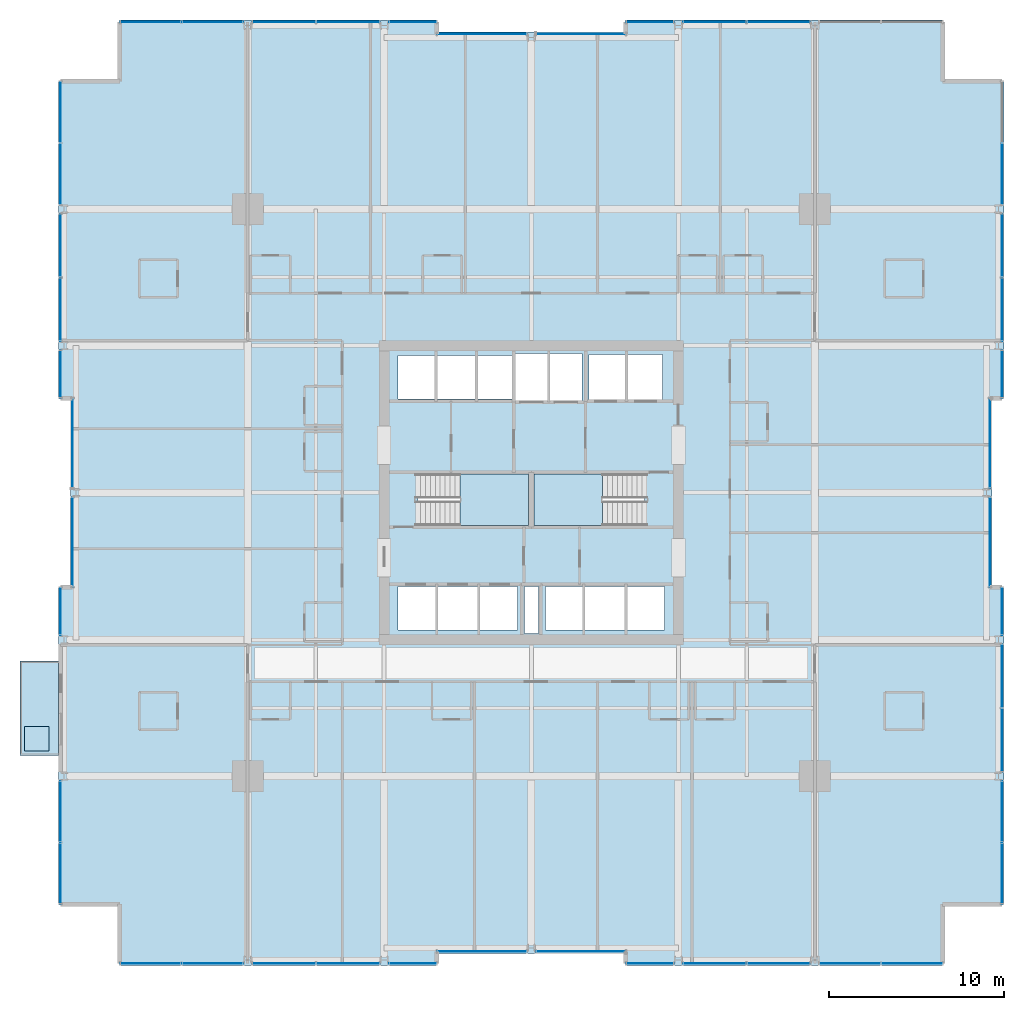
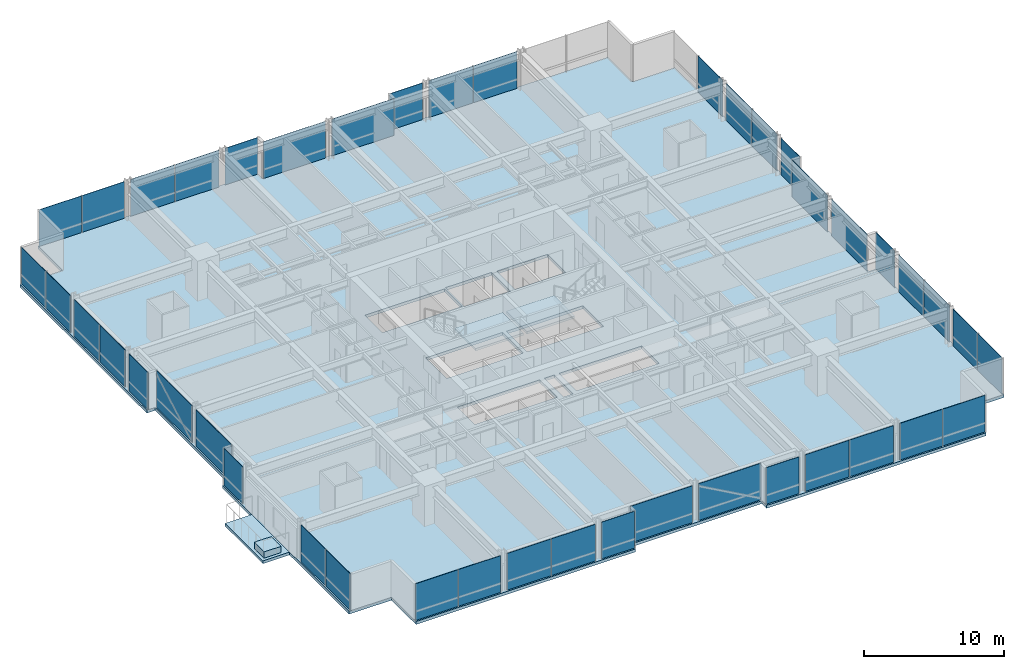
# One storey, part 29 of 38: 43 plates, 5 slabs, 32 elements without a shape of their own.
"""IFC4 building model written with IfcOpenShell, lengths in metres."""

from ifc_helpers import new_model, si_unit, direction, frame, origin, origin_2d, place, context, subcontext, project, spatial, polyline, rectangle, outline, extrude, material, layer, layer_set, type_object, element, aggregate, save


model = new_model("IFC4")

# Units and contexts
model_context = context("Model", 3, precision=1e-05, world=origin(), true_north=direction((0.0, 1.0)))
body_context = subcontext(model_context, "Body", "Model", "MODEL_VIEW")
ifc_project = project(units=[si_unit("LENGTHUNIT", "METRE"), si_unit("AREAUNIT", "SQUARE_METRE"), si_unit("VOLUMEUNIT", "CUBIC_METRE"), si_unit("PLANEANGLEUNIT", "RADIAN"), si_unit("MASSUNIT", "GRAM", prefix="KILO")], contexts=[model_context])

# Site, building, storey
site_placement = place(None, origin())
site = spatial("IfcSite", under=ifc_project, at=site_placement, CompositionType="ELEMENT")
building_placement = place(site_placement, origin())
building = spatial("IfcBuilding", under=site, at=building_placement, Name="Drelvath Grand Hotel", CompositionType="ELEMENT")
storey_placement = place(building_placement, frame((0.0, 0.0, 57.699951171875)))
storey = spatial("IfcBuildingStorey", under=building, at=storey_placement, Name="L13", CompositionType="ELEMENT", Elevation=57.699951171875)

# Slabs
ifc_material_1 = material(Name="Concrete f'c 40 MPa", Category="concrete")
ifc_layer_1 = layer(ifc_material_1, 0.239990234375)
ifc_layer_set_1 = layer_set([ifc_layer_1], Name="Concrete f'c 40 MPa")
slab_type_1 = type_object("IfcSlabType", Name="Cantilevered Tree Balcony Slab 240", PredefinedType="FLOOR", material=ifc_layer_set_1)
slab_1_placement = place(storey_placement, frame((0.0, 0.0, -0.239990234375)))
element("IfcSlab", 1, at=slab_1_placement, inside=storey, type_object=slab_type_1, Name="L13 Cantilevered Tree Balcony Slab 1", PredefinedType="FLOOR", context=body_context, shape_type="SweptSolid", body=[
    extrude(outline(polyline([(-29.199951171875, 12.0), (-27.0, 12.0), (-27.0, 17.39990234375), (-29.199951171875, 17.39990234375), (-29.199951171875, 12.0)])), origin(), (0.0, 0.0, 1.0), 0.239990234375),
])
ifc_layer_2 = layer(ifc_material_1, 0.260009765625)
ifc_layer_set_2 = layer_set([ifc_layer_2], Name="Concrete f'c 40 MPa")
slab_type_2 = type_object("IfcSlabType", Name="Composite RC Floor Slab 260", PredefinedType="FLOOR", material=ifc_layer_set_2)
slab_2_placement = place(storey_placement, frame((0.0, 0.0, -0.260009765625)))
element("IfcSlab", 2, at=slab_2_placement, inside=storey, type_object=slab_type_2, Name="L13 Structural Floor Slab", PredefinedType="FLOOR", context=body_context, shape_type="SweptSolid", body=[
    extrude(outline(polyline([(-23.5, 0.0), (-5.39990234375, 0.0), (-5.39990234375, 0.679931640625), (5.39990234375, 0.679931640625), (5.39990234375, 0.0), (23.5, 0.0), (23.5, 3.5), (27.0, 3.5), (27.0, 21.60009765625), (26.320068359375, 21.60009765625), (26.320068359375, 32.39990234375), (27.0, 32.39990234375), (27.0, 50.5), (23.5, 50.5), (23.5, 54.0), (5.39990234375, 54.0), (5.39990234375, 53.320068359375), (-5.39990234375, 53.320068359375), (-5.39990234375, 54.0), (-23.5, 54.0), (-23.5, 50.5), (-27.0, 50.5), (-27.0, 32.39990234375), (-26.320068359375, 32.39990234375), (-26.320068359375, 21.60009765625), (-27.0, 21.60009765625), (-27.0, 3.5), (-23.5, 3.5), (-23.5, 0.0)]), holes=[polyline([(-6.47998046875, 25.1201171875), (-6.47998046875, 28.080078125), (-0.14990234375, 28.080078125), (-0.14990234375, 25.1201171875), (-6.47998046875, 25.1201171875)]), polyline([(0.14990234375, 25.1201171875), (0.14990234375, 28.080078125), (6.47998046875, 28.080078125), (6.47998046875, 25.1201171875), (0.14990234375, 25.1201171875)]), polyline([(-7.60009765625, 19.14990234375), (-7.60009765625, 21.64990234375), (-0.800048828125, 21.64990234375), (-0.800048828125, 19.14990234375), (-7.60009765625, 19.14990234375)]), polyline([(-0.39990234375, 18.9599609375), (-0.39990234375, 21.639892578125), (0.39990234375, 21.639892578125), (0.39990234375, 18.9599609375), (-0.39990234375, 18.9599609375)]), polyline([(0.800048828125, 19.14990234375), (0.800048828125, 21.64990234375), (7.60009765625, 21.64990234375), (7.60009765625, 19.14990234375), (0.800048828125, 19.14990234375)]), polyline([(-7.60009765625, 32.35009765625), (-7.60009765625, 34.85009765625), (-1.02001953125, 34.85009765625), (-1.02001953125, 32.35009765625), (-7.60009765625, 32.35009765625)]), polyline([(-0.89990234375, 32.25), (-0.89990234375, 34.949951171875), (2.89990234375, 34.949951171875), (2.89990234375, 32.25), (-0.89990234375, 32.25)]), polyline([(3.300048828125, 32.300048828125), (3.300048828125, 34.89990234375), (7.5, 34.89990234375), (7.5, 32.300048828125), (3.300048828125, 32.300048828125)])]), origin(), (0.0, 0.0, 1.0), 0.260009765625),
])

# Stair, slab
ifc_material_2 = material(Name="Concrete C40/50", Category="concrete")
stair_type = type_object("IfcStairType", Name="Dogleg Exit Stair W1400-R175.0", PredefinedType="HALF_TURN_STAIR", material=ifc_material_2)
stair_1_placement = place(storey_placement, origin())
stair_1 = element("IfcStair", 3, at=stair_1_placement, inside=storey, type_object=stair_type, Name="L13 Core Exit Stair ST-1", PredefinedType="HALF_TURN_STAIR")
ifc_layer_3 = layer(ifc_material_2, 0.199951171875)
ifc_layer_set_3 = layer_set([ifc_layer_3], Name="Concrete C40/50")
slab_type_3 = type_object("IfcSlabType", Name="Concrete Stair Landing Slab 200", PredefinedType="LANDING", material=ifc_layer_set_3)
slab_3_placement = place(storey_placement, frame((0.0, 0.0, 1.550048828125)))
slab_3 = element("IfcSlab", 4, at=slab_3_placement, type_object=slab_type_3, Name="ST-1 landing 1", PredefinedType="LANDING", context=body_context, shape_type="SweptSolid", body=[
    extrude(outline(polyline([(-4.080078125, 25.1201171875), (-0.14990234375, 25.1201171875), (-0.14990234375, 28.080078125), (-4.080078125, 28.080078125), (-4.080078125, 25.1201171875)])), origin(), (0.0, 0.0, 1.0), 0.199951171875),
])
aggregate(stair_1, [slab_3])

stair_2_placement = place(storey_placement, origin())
stair_2 = element("IfcStair", 5, at=stair_2_placement, inside=storey, type_object=stair_type, Name="L13 Core Exit Stair ST-2", PredefinedType="HALF_TURN_STAIR")
slab_4_placement = place(storey_placement, frame((0.0, 0.0, 1.550048828125)))
slab_4 = element("IfcSlab", 6, at=slab_4_placement, type_object=slab_type_3, Name="ST-2 landing 1", PredefinedType="LANDING", context=body_context, shape_type="SweptSolid", body=[
    extrude(outline(polyline([(4.080078125, 28.080078125), (0.14990234375, 28.080078125), (0.14990234375, 25.1201171875), (4.080078125, 25.1201171875), (4.080078125, 28.080078125)])), origin(), (0.0, 0.0, 1.0), 0.199951171875),
])
aggregate(stair_2, [slab_4])

# Curtain wall, plates
ifc_material_3 = material(Name="Warm Bronze Anodised Aluminium Frame", Category="aluminium")
ifc_layer_4 = layer(ifc_material_3, 0.199951171875)
ifc_layer_set_4 = layer_set([ifc_layer_4], Name="Warm Bronze Anodised Aluminium Frame")
curtain_wall_type = type_object("IfcCurtainWallType", Name="Stick Curtain Wall CW-02 Warm Bronze Low-Rise", PredefinedType="NOTDEFINED", material=ifc_layer_set_4)
curtain_wall_1_placement = place(storey_placement, origin())
curtain_wall_1 = element("IfcCurtainWall", 7, at=curtain_wall_1_placement, inside=storey, type_object=curtain_wall_type, Name="L13 CW-02 Curtain Wall CW02-L13-WS1", PredefinedType="NOTDEFINED")
ifc_material_4 = material(Name="Low-E Triple Silver Vision Glass Bronze Tint", Category="glass")
ifc_layer_5 = layer(ifc_material_4, 0.035888671875)
ifc_layer_set_5 = layer_set([ifc_layer_5], Name="Low-E Triple Silver Vision Glass Bronze Tint")
plate_type = type_object("IfcPlateType", Name="Curtain Wall Vision Panel CW-02 36mm", PredefinedType="CURTAIN_PANEL", material=ifc_layer_set_5)
plate_1_placement = place(storey_placement, frame((-26.8798828125, 5.264892578125, 0.02001953125), z_axis=(0.0, 0.0, 1.0), x_axis=(0.0, 1.0, 0.0)))
plate_1 = element("IfcPlate", 8, at=plate_1_placement, type_object=plate_type, Name="CW02-L13-WS1 Glazed Panel 1", PredefinedType="CURTAIN_PANEL", context=body_context, shape_type="SweptSolid", body=[
    extrude(rectangle(XDim=3.489501953125, YDim=0.035888671875, at=origin_2d()), origin(), (0.0, 0.0, 1.0), 3.199951171875),
])
plate_2_placement = place(storey_placement, frame((-26.8798828125, 8.794189453125, 0.02001953125), z_axis=(0.0, 0.0, 1.0), x_axis=(0.0, 1.0, 0.0)))
plate_2 = element("IfcPlate", 9, at=plate_2_placement, type_object=plate_type, Name="CW02-L13-WS1 Glazed Panel 2", PredefinedType="CURTAIN_PANEL", context=body_context, shape_type="SweptSolid", body=[
    extrude(rectangle(XDim=3.489501953125, YDim=0.035888671875, at=origin_2d()), origin(), (0.0, 0.0, 1.0), 3.199951171875),
])
aggregate(curtain_wall_1, [plate_1, plate_2])

# Curtain wall, plate
curtain_wall_2_placement = place(storey_placement, origin())
curtain_wall_2 = element("IfcCurtainWall", 10, at=curtain_wall_2_placement, inside=storey, type_object=curtain_wall_type, Name="L13 CW-02 Curtain Wall CW02-L13-WS3", PredefinedType="NOTDEFINED")
plate_3_placement = place(storey_placement, frame((-26.8798828125, 20.220458984375, 0.02001953125), z_axis=(0.0, 0.0, 1.0), x_axis=(0.0, 1.0, 0.0)))
plate_3 = element("IfcPlate", 11, at=plate_3_placement, type_object=plate_type, Name="CW02-L13-WS3 Glazed Panel 1", PredefinedType="CURTAIN_PANEL", context=body_context, shape_type="SweptSolid", body=[
    extrude(rectangle(XDim=2.718994140625, YDim=0.035888671875, at=origin_2d()), origin(), (0.0, 0.0, 1.0), 3.199951171875),
])
aggregate(curtain_wall_2, [plate_3])

curtain_wall_3_placement = place(storey_placement, origin())
curtain_wall_3 = element("IfcCurtainWall", 12, at=curtain_wall_3_placement, inside=storey, type_object=curtain_wall_type, Name="L13 CW-02 Curtain Wall CW02-L13-WM1", PredefinedType="NOTDEFINED")
plate_4_placement = place(storey_placement, frame((-26.199951171875, 24.179443359375, 0.02001953125), z_axis=(0.0, 0.0, 1.0), x_axis=(0.0, 1.0, 0.0)))
plate_4 = element("IfcPlate", 13, at=plate_4_placement, type_object=plate_type, Name="CW02-L13-WM1 Glazed Panel 1", PredefinedType="CURTAIN_PANEL", context=body_context, shape_type="SweptSolid", body=[
    extrude(rectangle(XDim=5.119140625, YDim=0.035888671875, at=origin_2d()), origin(), (0.0, 0.0, 1.0), 3.199951171875),
])
aggregate(curtain_wall_3, [plate_4])

curtain_wall_4_placement = place(storey_placement, origin())
curtain_wall_4 = element("IfcCurtainWall", 14, at=curtain_wall_4_placement, inside=storey, type_object=curtain_wall_type, Name="L13 CW-02 Curtain Wall CW02-L13-WM2", PredefinedType="NOTDEFINED")
plate_5_placement = place(storey_placement, frame((-26.199951171875, 29.820556640625, 0.02001953125), z_axis=(0.0, 0.0, 1.0), x_axis=(0.0, 1.0, 0.0)))
plate_5 = element("IfcPlate", 15, at=plate_5_placement, type_object=plate_type, Name="CW02-L13-WM2 Glazed Panel 1", PredefinedType="CURTAIN_PANEL", context=body_context, shape_type="SweptSolid", body=[
    extrude(rectangle(XDim=5.119140625, YDim=0.035888671875, at=origin_2d()), origin(), (0.0, 0.0, 1.0), 3.199951171875),
])
aggregate(curtain_wall_4, [plate_5])

curtain_wall_5_placement = place(storey_placement, origin())
curtain_wall_5 = element("IfcCurtainWall", 16, at=curtain_wall_5_placement, inside=storey, type_object=curtain_wall_type, Name="L13 CW-02 Curtain Wall CW02-L13-WN1", PredefinedType="NOTDEFINED")
plate_6_placement = place(storey_placement, frame((-26.8798828125, 33.779541015625, 0.02001953125), z_axis=(0.0, 0.0, 1.0), x_axis=(0.0, 1.0, 0.0)))
plate_6 = element("IfcPlate", 17, at=plate_6_placement, type_object=plate_type, Name="CW02-L13-WN1 Glazed Panel 1", PredefinedType="CURTAIN_PANEL", context=body_context, shape_type="SweptSolid", body=[
    extrude(rectangle(XDim=2.718994140625, YDim=0.035888671875, at=origin_2d()), origin(), (0.0, 0.0, 1.0), 3.199951171875),
])
aggregate(curtain_wall_5, [plate_6])

# Curtain wall, plates
curtain_wall_6_placement = place(storey_placement, origin())
curtain_wall_6 = element("IfcCurtainWall", 18, at=curtain_wall_6_placement, inside=storey, type_object=curtain_wall_type, Name="L13 CW-02 Curtain Wall CW02-L13-WN2", PredefinedType="NOTDEFINED")
plate_7_placement = place(storey_placement, frame((-26.8798828125, 37.470458984375, 0.02001953125), z_axis=(0.0, 0.0, 1.0), x_axis=(0.0, 1.0, 0.0)))
plate_7 = element("IfcPlate", 19, at=plate_7_placement, type_object=plate_type, Name="CW02-L13-WN2 Glazed Panel 1", PredefinedType="CURTAIN_PANEL", context=body_context, shape_type="SweptSolid", body=[
    extrude(rectangle(XDim=3.619140625, YDim=0.035888671875, at=origin_2d()), origin(), (0.0, 0.0, 1.0), 3.199951171875),
])
plate_8_placement = place(storey_placement, frame((-26.8798828125, 41.129638671875, 0.02001953125), z_axis=(0.0, 0.0, 1.0), x_axis=(0.0, 1.0, 0.0)))
plate_8 = element("IfcPlate", 20, at=plate_8_placement, type_object=plate_type, Name="CW02-L13-WN2 Glazed Panel 2", PredefinedType="CURTAIN_PANEL", context=body_context, shape_type="SweptSolid", body=[
    extrude(rectangle(XDim=3.619140625, YDim=0.035888671875, at=origin_2d()), origin(), (0.0, 0.0, 1.0), 3.199951171875),
])
aggregate(curtain_wall_6, [plate_7, plate_8])

curtain_wall_7_placement = place(storey_placement, origin())
curtain_wall_7 = element("IfcCurtainWall", 21, at=curtain_wall_7_placement, inside=storey, type_object=curtain_wall_type, Name="L13 CW-02 Curtain Wall CW02-L13-WN3", PredefinedType="NOTDEFINED")
plate_9_placement = place(storey_placement, frame((-26.8798828125, 45.205810546875, 0.02001953125), z_axis=(0.0, 0.0, 1.0), x_axis=(0.0, 1.0, 0.0)))
plate_9 = element("IfcPlate", 22, at=plate_9_placement, type_object=plate_type, Name="CW02-L13-WN3 Glazed Panel 1", PredefinedType="CURTAIN_PANEL", context=body_context, shape_type="SweptSolid", body=[
    extrude(rectangle(XDim=3.489501953125, YDim=0.035888671875, at=origin_2d()), origin(), (0.0, 0.0, 1.0), 3.199951171875),
])
plate_10_placement = place(storey_placement, frame((-26.8798828125, 48.735107421875, 0.02001953125), z_axis=(0.0, 0.0, 1.0), x_axis=(0.0, 1.0, 0.0)))
plate_10 = element("IfcPlate", 23, at=plate_10_placement, type_object=plate_type, Name="CW02-L13-WN3 Glazed Panel 2", PredefinedType="CURTAIN_PANEL", context=body_context, shape_type="SweptSolid", body=[
    extrude(rectangle(XDim=3.489501953125, YDim=0.035888671875, at=origin_2d()), origin(), (0.0, 0.0, 1.0), 3.199951171875),
])
aggregate(curtain_wall_7, [plate_9, plate_10])

# Curtain wall, plate
curtain_wall_8_placement = place(storey_placement, origin())
curtain_wall_8 = element("IfcCurtainWall", 24, at=curtain_wall_8_placement, inside=storey, type_object=curtain_wall_type, Name="L13 CW-02 Curtain Wall CW02-L13-EN1", PredefinedType="NOTDEFINED")
plate_11_placement = place(storey_placement, frame((26.8798828125, 33.779541015625, 0.02001953125), z_axis=(0.0, 0.0, 1.0), x_axis=(0.0, -1.0, 0.0)))
plate_11 = element("IfcPlate", 25, at=plate_11_placement, type_object=plate_type, Name="CW02-L13-EN1 Glazed Panel 1", PredefinedType="CURTAIN_PANEL", context=body_context, shape_type="SweptSolid", body=[
    extrude(rectangle(XDim=2.718994140625, YDim=0.035888671875, at=origin_2d()), origin(), (0.0, 0.0, 1.0), 3.199951171875),
])
aggregate(curtain_wall_8, [plate_11])

# Curtain wall, plates
curtain_wall_9_placement = place(storey_placement, origin())
curtain_wall_9 = element("IfcCurtainWall", 26, at=curtain_wall_9_placement, inside=storey, type_object=curtain_wall_type, Name="L13 CW-02 Curtain Wall CW02-L13-EN2", PredefinedType="NOTDEFINED")
plate_12_placement = place(storey_placement, frame((26.8798828125, 41.129638671875, 0.02001953125), z_axis=(0.0, 0.0, 1.0), x_axis=(0.0, -1.0, 0.0)))
plate_12 = element("IfcPlate", 27, at=plate_12_placement, type_object=plate_type, Name="CW02-L13-EN2 Glazed Panel 1", PredefinedType="CURTAIN_PANEL", context=body_context, shape_type="SweptSolid", body=[
    extrude(rectangle(XDim=3.619140625, YDim=0.035888671875, at=origin_2d()), origin(), (0.0, 0.0, 1.0), 3.199951171875),
])
plate_13_placement = place(storey_placement, frame((26.8798828125, 37.470458984375, 0.02001953125), z_axis=(0.0, 0.0, 1.0), x_axis=(0.0, -1.0, 0.0)))
plate_13 = element("IfcPlate", 28, at=plate_13_placement, type_object=plate_type, Name="CW02-L13-EN2 Glazed Panel 2", PredefinedType="CURTAIN_PANEL", context=body_context, shape_type="SweptSolid", body=[
    extrude(rectangle(XDim=3.619140625, YDim=0.035888671875, at=origin_2d()), origin(), (0.0, 0.0, 1.0), 3.199951171875),
])
aggregate(curtain_wall_9, [plate_12, plate_13])

# Curtain wall, plate
curtain_wall_10_placement = place(storey_placement, origin())
curtain_wall_10 = element("IfcCurtainWall", 29, at=curtain_wall_10_placement, inside=storey, type_object=curtain_wall_type, Name="L13 CW-02 Curtain Wall CW02-L13-EN3", PredefinedType="NOTDEFINED")
plate_14_placement = place(storey_placement, frame((26.8798828125, 45.205810546875, 0.02001953125), z_axis=(0.0, 0.0, 1.0), x_axis=(0.0, -1.0, 0.0)))
plate_14 = element("IfcPlate", 30, at=plate_14_placement, type_object=plate_type, Name="CW02-L13-EN3 Glazed Panel 2", PredefinedType="CURTAIN_PANEL", context=body_context, shape_type="SweptSolid", body=[
    extrude(rectangle(XDim=3.489501953125, YDim=0.035888671875, at=origin_2d()), origin(), (0.0, 0.0, 1.0), 3.199951171875),
])
aggregate(curtain_wall_10, [plate_14])

curtain_wall_11_placement = place(storey_placement, origin())
curtain_wall_11 = element("IfcCurtainWall", 31, at=curtain_wall_11_placement, inside=storey, type_object=curtain_wall_type, Name="L13 CW-02 Curtain Wall CW02-L13-EM1", PredefinedType="NOTDEFINED")
plate_15_placement = place(storey_placement, frame((26.199951171875, 24.179443359375, 0.02001953125), z_axis=(0.0, 0.0, 1.0), x_axis=(0.0, -1.0, 0.0)))
plate_15 = element("IfcPlate", 32, at=plate_15_placement, type_object=plate_type, Name="CW02-L13-EM1 Glazed Panel 1", PredefinedType="CURTAIN_PANEL", context=body_context, shape_type="SweptSolid", body=[
    extrude(rectangle(XDim=5.119140625, YDim=0.035888671875, at=origin_2d()), origin(), (0.0, 0.0, 1.0), 3.199951171875),
])
aggregate(curtain_wall_11, [plate_15])

curtain_wall_12_placement = place(storey_placement, origin())
curtain_wall_12 = element("IfcCurtainWall", 33, at=curtain_wall_12_placement, inside=storey, type_object=curtain_wall_type, Name="L13 CW-02 Curtain Wall CW02-L13-EM2", PredefinedType="NOTDEFINED")
plate_16_placement = place(storey_placement, frame((26.199951171875, 29.820556640625, 0.02001953125), z_axis=(0.0, 0.0, 1.0), x_axis=(0.0, -1.0, 0.0)))
plate_16 = element("IfcPlate", 34, at=plate_16_placement, type_object=plate_type, Name="CW02-L13-EM2 Glazed Panel 1", PredefinedType="CURTAIN_PANEL", context=body_context, shape_type="SweptSolid", body=[
    extrude(rectangle(XDim=5.119140625, YDim=0.035888671875, at=origin_2d()), origin(), (0.0, 0.0, 1.0), 3.199951171875),
])
aggregate(curtain_wall_12, [plate_16])

# Curtain wall, plates
curtain_wall_13_placement = place(storey_placement, origin())
curtain_wall_13 = element("IfcCurtainWall", 35, at=curtain_wall_13_placement, inside=storey, type_object=curtain_wall_type, Name="L13 CW-02 Curtain Wall CW02-L13-ES1", PredefinedType="NOTDEFINED")
plate_17_placement = place(storey_placement, frame((26.8798828125, 8.794189453125, 0.02001953125), z_axis=(0.0, 0.0, 1.0), x_axis=(0.0, -1.0, 0.0)))
plate_17 = element("IfcPlate", 36, at=plate_17_placement, type_object=plate_type, Name="CW02-L13-ES1 Glazed Panel 1", PredefinedType="CURTAIN_PANEL", context=body_context, shape_type="SweptSolid", body=[
    extrude(rectangle(XDim=3.489501953125, YDim=0.035888671875, at=origin_2d()), origin(), (0.0, 0.0, 1.0), 3.199951171875),
])
plate_18_placement = place(storey_placement, frame((26.8798828125, 5.264892578125, 0.02001953125), z_axis=(0.0, 0.0, 1.0), x_axis=(0.0, -1.0, 0.0)))
plate_18 = element("IfcPlate", 37, at=plate_18_placement, type_object=plate_type, Name="CW02-L13-ES1 Glazed Panel 2", PredefinedType="CURTAIN_PANEL", context=body_context, shape_type="SweptSolid", body=[
    extrude(rectangle(XDim=3.489501953125, YDim=0.035888671875, at=origin_2d()), origin(), (0.0, 0.0, 1.0), 3.199951171875),
])
aggregate(curtain_wall_13, [plate_17, plate_18])

curtain_wall_14_placement = place(storey_placement, origin())
curtain_wall_14 = element("IfcCurtainWall", 38, at=curtain_wall_14_placement, inside=storey, type_object=curtain_wall_type, Name="L13 CW-02 Curtain Wall CW02-L13-ES2", PredefinedType="NOTDEFINED")
plate_19_placement = place(storey_placement, frame((26.8798828125, 16.529541015625, 0.02001953125), z_axis=(0.0, 0.0, 1.0), x_axis=(0.0, -1.0, 0.0)))
plate_19 = element("IfcPlate", 39, at=plate_19_placement, type_object=plate_type, Name="CW02-L13-ES2 Glazed Panel 1", PredefinedType="CURTAIN_PANEL", context=body_context, shape_type="SweptSolid", body=[
    extrude(rectangle(XDim=3.619140625, YDim=0.035888671875, at=origin_2d()), origin(), (0.0, 0.0, 1.0), 3.199951171875),
])
plate_20_placement = place(storey_placement, frame((26.8798828125, 12.870361328125, 0.02001953125), z_axis=(0.0, 0.0, 1.0), x_axis=(0.0, -1.0, 0.0)))
plate_20 = element("IfcPlate", 40, at=plate_20_placement, type_object=plate_type, Name="CW02-L13-ES2 Glazed Panel 2", PredefinedType="CURTAIN_PANEL", context=body_context, shape_type="SweptSolid", body=[
    extrude(rectangle(XDim=3.619140625, YDim=0.035888671875, at=origin_2d()), origin(), (0.0, 0.0, 1.0), 3.199951171875),
])
aggregate(curtain_wall_14, [plate_19, plate_20])

# Curtain wall, plate
curtain_wall_15_placement = place(storey_placement, origin())
curtain_wall_15 = element("IfcCurtainWall", 41, at=curtain_wall_15_placement, inside=storey, type_object=curtain_wall_type, Name="L13 CW-02 Curtain Wall CW02-L13-ES3", PredefinedType="NOTDEFINED")
plate_21_placement = place(storey_placement, frame((26.8798828125, 20.220458984375, 0.02001953125), z_axis=(0.0, 0.0, 1.0), x_axis=(0.0, -1.0, 0.0)))
plate_21 = element("IfcPlate", 42, at=plate_21_placement, type_object=plate_type, Name="CW02-L13-ES3 Glazed Panel 1", PredefinedType="CURTAIN_PANEL", context=body_context, shape_type="SweptSolid", body=[
    extrude(rectangle(XDim=2.718994140625, YDim=0.035888671875, at=origin_2d()), origin(), (0.0, 0.0, 1.0), 3.199951171875),
])
aggregate(curtain_wall_15, [plate_21])

# Curtain wall, plates
curtain_wall_16_placement = place(storey_placement, origin())
curtain_wall_16 = element("IfcCurtainWall", 43, at=curtain_wall_16_placement, inside=storey, type_object=curtain_wall_type, Name="L13 CW-02 Curtain Wall CW02-L13-NW1", PredefinedType="NOTDEFINED")
plate_22_placement = place(storey_placement, frame((-21.735107421875, 53.8798828125, 0.02001953125), z_axis=(0.0, 0.0, 1.0), x_axis=(1.0, 0.0, 0.0)))
plate_22 = element("IfcPlate", 44, at=plate_22_placement, type_object=plate_type, Name="CW02-L13-NW1 Glazed Panel 1", PredefinedType="CURTAIN_PANEL", context=body_context, shape_type="SweptSolid", body=[
    extrude(rectangle(XDim=3.489501953125, YDim=0.035888671875, at=origin_2d()), origin(), (0.0, 0.0, 1.0), 3.199951171875),
])
plate_23_placement = place(storey_placement, frame((-18.205810546875, 53.8798828125, 0.02001953125), z_axis=(0.0, 0.0, 1.0), x_axis=(1.0, 0.0, 0.0)))
plate_23 = element("IfcPlate", 45, at=plate_23_placement, type_object=plate_type, Name="CW02-L13-NW1 Glazed Panel 2", PredefinedType="CURTAIN_PANEL", context=body_context, shape_type="SweptSolid", body=[
    extrude(rectangle(XDim=3.489501953125, YDim=0.035888671875, at=origin_2d()), origin(), (0.0, 0.0, 1.0), 3.199951171875),
])
aggregate(curtain_wall_16, [plate_22, plate_23])

curtain_wall_17_placement = place(storey_placement, origin())
curtain_wall_17 = element("IfcCurtainWall", 46, at=curtain_wall_17_placement, inside=storey, type_object=curtain_wall_type, Name="L13 CW-02 Curtain Wall CW02-L13-NW2", PredefinedType="NOTDEFINED")
plate_24_placement = place(storey_placement, frame((-14.129638671875, 53.8798828125, 0.02001953125), z_axis=(0.0, 0.0, 1.0), x_axis=(1.0, 0.0, 0.0)))
plate_24 = element("IfcPlate", 47, at=plate_24_placement, type_object=plate_type, Name="CW02-L13-NW2 Glazed Panel 1", PredefinedType="CURTAIN_PANEL", context=body_context, shape_type="SweptSolid", body=[
    extrude(rectangle(XDim=3.619140625, YDim=0.035888671875, at=origin_2d()), origin(), (0.0, 0.0, 1.0), 3.199951171875),
])
plate_25_placement = place(storey_placement, frame((-10.470458984375, 53.8798828125, 0.02001953125), z_axis=(0.0, 0.0, 1.0), x_axis=(1.0, 0.0, 0.0)))
plate_25 = element("IfcPlate", 48, at=plate_25_placement, type_object=plate_type, Name="CW02-L13-NW2 Glazed Panel 2", PredefinedType="CURTAIN_PANEL", context=body_context, shape_type="SweptSolid", body=[
    extrude(rectangle(XDim=3.619140625, YDim=0.035888671875, at=origin_2d()), origin(), (0.0, 0.0, 1.0), 3.199951171875),
])
aggregate(curtain_wall_17, [plate_24, plate_25])

# Curtain wall, plate
curtain_wall_18_placement = place(storey_placement, origin())
curtain_wall_18 = element("IfcCurtainWall", 49, at=curtain_wall_18_placement, inside=storey, type_object=curtain_wall_type, Name="L13 CW-02 Curtain Wall CW02-L13-NW3", PredefinedType="NOTDEFINED")
plate_26_placement = place(storey_placement, frame((-6.779541015625, 53.8798828125, 0.02001953125), z_axis=(0.0, 0.0, 1.0), x_axis=(1.0, 0.0, 0.0)))
plate_26 = element("IfcPlate", 50, at=plate_26_placement, type_object=plate_type, Name="CW02-L13-NW3 Glazed Panel 1", PredefinedType="CURTAIN_PANEL", context=body_context, shape_type="SweptSolid", body=[
    extrude(rectangle(XDim=2.718994140625, YDim=0.035888671875, at=origin_2d()), origin(), (0.0, 0.0, 1.0), 3.199951171875),
])
aggregate(curtain_wall_18, [plate_26])

curtain_wall_19_placement = place(storey_placement, origin())
curtain_wall_19 = element("IfcCurtainWall", 51, at=curtain_wall_19_placement, inside=storey, type_object=curtain_wall_type, Name="L13 CW-02 Curtain Wall CW02-L13-NM1", PredefinedType="NOTDEFINED")
plate_27_placement = place(storey_placement, frame((-2.820556640625, 53.199951171875, 0.02001953125), z_axis=(0.0, 0.0, 1.0), x_axis=(1.0, 0.0, 0.0)))
plate_27 = element("IfcPlate", 52, at=plate_27_placement, type_object=plate_type, Name="CW02-L13-NM1 Glazed Panel 1", PredefinedType="CURTAIN_PANEL", context=body_context, shape_type="SweptSolid", body=[
    extrude(rectangle(XDim=5.119140625, YDim=0.035888671875, at=origin_2d()), origin(), (0.0, 0.0, 1.0), 3.199951171875),
])
aggregate(curtain_wall_19, [plate_27])

curtain_wall_20_placement = place(storey_placement, origin())
curtain_wall_20 = element("IfcCurtainWall", 53, at=curtain_wall_20_placement, inside=storey, type_object=curtain_wall_type, Name="L13 CW-02 Curtain Wall CW02-L13-NM2", PredefinedType="NOTDEFINED")
plate_28_placement = place(storey_placement, frame((2.820556640625, 53.199951171875, 0.02001953125), z_axis=(0.0, 0.0, 1.0), x_axis=(1.0, 0.0, 0.0)))
plate_28 = element("IfcPlate", 54, at=plate_28_placement, type_object=plate_type, Name="CW02-L13-NM2 Glazed Panel 1", PredefinedType="CURTAIN_PANEL", context=body_context, shape_type="SweptSolid", body=[
    extrude(rectangle(XDim=5.119140625, YDim=0.035888671875, at=origin_2d()), origin(), (0.0, 0.0, 1.0), 3.199951171875),
])
aggregate(curtain_wall_20, [plate_28])

curtain_wall_21_placement = place(storey_placement, origin())
curtain_wall_21 = element("IfcCurtainWall", 55, at=curtain_wall_21_placement, inside=storey, type_object=curtain_wall_type, Name="L13 CW-02 Curtain Wall CW02-L13-NE1", PredefinedType="NOTDEFINED")
plate_29_placement = place(storey_placement, frame((6.779541015625, 53.8798828125, 0.02001953125), z_axis=(0.0, 0.0, 1.0), x_axis=(1.0, 0.0, 0.0)))
plate_29 = element("IfcPlate", 56, at=plate_29_placement, type_object=plate_type, Name="CW02-L13-NE1 Glazed Panel 1", PredefinedType="CURTAIN_PANEL", context=body_context, shape_type="SweptSolid", body=[
    extrude(rectangle(XDim=2.718994140625, YDim=0.035888671875, at=origin_2d()), origin(), (0.0, 0.0, 1.0), 3.199951171875),
])
aggregate(curtain_wall_21, [plate_29])

# Curtain wall, plates
curtain_wall_22_placement = place(storey_placement, origin())
curtain_wall_22 = element("IfcCurtainWall", 57, at=curtain_wall_22_placement, inside=storey, type_object=curtain_wall_type, Name="L13 CW-02 Curtain Wall CW02-L13-NE2", PredefinedType="NOTDEFINED")
plate_30_placement = place(storey_placement, frame((10.470458984375, 53.8798828125, 0.02001953125), z_axis=(0.0, 0.0, 1.0), x_axis=(1.0, 0.0, 0.0)))
plate_30 = element("IfcPlate", 58, at=plate_30_placement, type_object=plate_type, Name="CW02-L13-NE2 Glazed Panel 1", PredefinedType="CURTAIN_PANEL", context=body_context, shape_type="SweptSolid", body=[
    extrude(rectangle(XDim=3.619140625, YDim=0.035888671875, at=origin_2d()), origin(), (0.0, 0.0, 1.0), 3.199951171875),
])
plate_31_placement = place(storey_placement, frame((14.129638671875, 53.8798828125, 0.02001953125), z_axis=(0.0, 0.0, 1.0), x_axis=(1.0, 0.0, 0.0)))
plate_31 = element("IfcPlate", 59, at=plate_31_placement, type_object=plate_type, Name="CW02-L13-NE2 Glazed Panel 2", PredefinedType="CURTAIN_PANEL", context=body_context, shape_type="SweptSolid", body=[
    extrude(rectangle(XDim=3.619140625, YDim=0.035888671875, at=origin_2d()), origin(), (0.0, 0.0, 1.0), 3.199951171875),
])
aggregate(curtain_wall_22, [plate_30, plate_31])

# Curtain wall, plate
curtain_wall_23_placement = place(storey_placement, origin())
curtain_wall_23 = element("IfcCurtainWall", 60, at=curtain_wall_23_placement, inside=storey, type_object=curtain_wall_type, Name="L13 CW-02 Curtain Wall CW02-L13-SE1", PredefinedType="NOTDEFINED")
plate_32_placement = place(storey_placement, frame((6.779541015625, 0.1201171875, 0.02001953125), z_axis=(0.0, 0.0, 1.0), x_axis=(-1.0, 0.0, 0.0)))
plate_32 = element("IfcPlate", 61, at=plate_32_placement, type_object=plate_type, Name="CW02-L13-SE1 Glazed Panel 1", PredefinedType="CURTAIN_PANEL", context=body_context, shape_type="SweptSolid", body=[
    extrude(rectangle(XDim=2.718994140625, YDim=0.035888671875, at=origin_2d()), origin(), (0.0, 0.0, 1.0), 3.199951171875),
])
aggregate(curtain_wall_23, [plate_32])

# Curtain wall, plates
curtain_wall_24_placement = place(storey_placement, origin())
curtain_wall_24 = element("IfcCurtainWall", 62, at=curtain_wall_24_placement, inside=storey, type_object=curtain_wall_type, Name="L13 CW-02 Curtain Wall CW02-L13-SE2", PredefinedType="NOTDEFINED")
plate_33_placement = place(storey_placement, frame((14.129638671875, 0.1201171875, 0.02001953125), z_axis=(0.0, 0.0, 1.0), x_axis=(-1.0, 0.0, 0.0)))
plate_33 = element("IfcPlate", 63, at=plate_33_placement, type_object=plate_type, Name="CW02-L13-SE2 Glazed Panel 1", PredefinedType="CURTAIN_PANEL", context=body_context, shape_type="SweptSolid", body=[
    extrude(rectangle(XDim=3.619140625, YDim=0.035888671875, at=origin_2d()), origin(), (0.0, 0.0, 1.0), 3.199951171875),
])
plate_34_placement = place(storey_placement, frame((10.470458984375, 0.1201171875, 0.02001953125), z_axis=(0.0, 0.0, 1.0), x_axis=(-1.0, 0.0, 0.0)))
plate_34 = element("IfcPlate", 64, at=plate_34_placement, type_object=plate_type, Name="CW02-L13-SE2 Glazed Panel 2", PredefinedType="CURTAIN_PANEL", context=body_context, shape_type="SweptSolid", body=[
    extrude(rectangle(XDim=3.619140625, YDim=0.035888671875, at=origin_2d()), origin(), (0.0, 0.0, 1.0), 3.199951171875),
])
aggregate(curtain_wall_24, [plate_33, plate_34])

curtain_wall_25_placement = place(storey_placement, origin())
curtain_wall_25 = element("IfcCurtainWall", 65, at=curtain_wall_25_placement, inside=storey, type_object=curtain_wall_type, Name="L13 CW-02 Curtain Wall CW02-L13-SE3", PredefinedType="NOTDEFINED")
plate_35_placement = place(storey_placement, frame((21.735107421875, 0.1201171875, 0.02001953125), z_axis=(0.0, 0.0, 1.0), x_axis=(-1.0, 0.0, 0.0)))
plate_35 = element("IfcPlate", 66, at=plate_35_placement, type_object=plate_type, Name="CW02-L13-SE3 Glazed Panel 1", PredefinedType="CURTAIN_PANEL", context=body_context, shape_type="SweptSolid", body=[
    extrude(rectangle(XDim=3.489501953125, YDim=0.035888671875, at=origin_2d()), origin(), (0.0, 0.0, 1.0), 3.199951171875),
])
plate_36_placement = place(storey_placement, frame((18.205810546875, 0.1201171875, 0.02001953125), z_axis=(0.0, 0.0, 1.0), x_axis=(-1.0, 0.0, 0.0)))
plate_36 = element("IfcPlate", 67, at=plate_36_placement, type_object=plate_type, Name="CW02-L13-SE3 Glazed Panel 2", PredefinedType="CURTAIN_PANEL", context=body_context, shape_type="SweptSolid", body=[
    extrude(rectangle(XDim=3.489501953125, YDim=0.035888671875, at=origin_2d()), origin(), (0.0, 0.0, 1.0), 3.199951171875),
])
aggregate(curtain_wall_25, [plate_35, plate_36])

# Curtain wall, plate
curtain_wall_26_placement = place(storey_placement, origin())
curtain_wall_26 = element("IfcCurtainWall", 68, at=curtain_wall_26_placement, inside=storey, type_object=curtain_wall_type, Name="L13 CW-02 Curtain Wall CW02-L13-SM1", PredefinedType="NOTDEFINED")
plate_37_placement = place(storey_placement, frame((-2.820556640625, 0.800048828125, 0.02001953125), z_axis=(0.0, 0.0, 1.0), x_axis=(-1.0, 0.0, 0.0)))
plate_37 = element("IfcPlate", 69, at=plate_37_placement, type_object=plate_type, Name="CW02-L13-SM1 Glazed Panel 1", PredefinedType="CURTAIN_PANEL", context=body_context, shape_type="SweptSolid", body=[
    extrude(rectangle(XDim=5.119140625, YDim=0.035888671875, at=origin_2d()), origin(), (0.0, 0.0, 1.0), 3.199951171875),
])
aggregate(curtain_wall_26, [plate_37])

curtain_wall_27_placement = place(storey_placement, origin())
curtain_wall_27 = element("IfcCurtainWall", 70, at=curtain_wall_27_placement, inside=storey, type_object=curtain_wall_type, Name="L13 CW-02 Curtain Wall CW02-L13-SM2", PredefinedType="NOTDEFINED")
plate_38_placement = place(storey_placement, frame((2.820556640625, 0.800048828125, 0.02001953125), z_axis=(0.0, 0.0, 1.0), x_axis=(-1.0, 0.0, 0.0)))
plate_38 = element("IfcPlate", 71, at=plate_38_placement, type_object=plate_type, Name="CW02-L13-SM2 Glazed Panel 1", PredefinedType="CURTAIN_PANEL", context=body_context, shape_type="SweptSolid", body=[
    extrude(rectangle(XDim=5.119140625, YDim=0.035888671875, at=origin_2d()), origin(), (0.0, 0.0, 1.0), 3.199951171875),
])
aggregate(curtain_wall_27, [plate_38])

# Curtain wall, plates
curtain_wall_28_placement = place(storey_placement, origin())
curtain_wall_28 = element("IfcCurtainWall", 72, at=curtain_wall_28_placement, inside=storey, type_object=curtain_wall_type, Name="L13 CW-02 Curtain Wall CW02-L13-SW1", PredefinedType="NOTDEFINED")
plate_39_placement = place(storey_placement, frame((-18.205810546875, 0.1201171875, 0.02001953125), z_axis=(0.0, 0.0, 1.0), x_axis=(-1.0, 0.0, 0.0)))
plate_39 = element("IfcPlate", 73, at=plate_39_placement, type_object=plate_type, Name="CW02-L13-SW1 Glazed Panel 1", PredefinedType="CURTAIN_PANEL", context=body_context, shape_type="SweptSolid", body=[
    extrude(rectangle(XDim=3.489501953125, YDim=0.035888671875, at=origin_2d()), origin(), (0.0, 0.0, 1.0), 3.199951171875),
])
plate_40_placement = place(storey_placement, frame((-21.735107421875, 0.1201171875, 0.02001953125), z_axis=(0.0, 0.0, 1.0), x_axis=(-1.0, 0.0, 0.0)))
plate_40 = element("IfcPlate", 74, at=plate_40_placement, type_object=plate_type, Name="CW02-L13-SW1 Glazed Panel 2", PredefinedType="CURTAIN_PANEL", context=body_context, shape_type="SweptSolid", body=[
    extrude(rectangle(XDim=3.489501953125, YDim=0.035888671875, at=origin_2d()), origin(), (0.0, 0.0, 1.0), 3.199951171875),
])
aggregate(curtain_wall_28, [plate_39, plate_40])

curtain_wall_29_placement = place(storey_placement, origin())
curtain_wall_29 = element("IfcCurtainWall", 75, at=curtain_wall_29_placement, inside=storey, type_object=curtain_wall_type, Name="L13 CW-02 Curtain Wall CW02-L13-SW2", PredefinedType="NOTDEFINED")
plate_41_placement = place(storey_placement, frame((-10.470458984375, 0.1201171875, 0.02001953125), z_axis=(0.0, 0.0, 1.0), x_axis=(-1.0, 0.0, 0.0)))
plate_41 = element("IfcPlate", 76, at=plate_41_placement, type_object=plate_type, Name="CW02-L13-SW2 Glazed Panel 1", PredefinedType="CURTAIN_PANEL", context=body_context, shape_type="SweptSolid", body=[
    extrude(rectangle(XDim=3.619140625, YDim=0.035888671875, at=origin_2d()), origin(), (0.0, 0.0, 1.0), 3.199951171875),
])
plate_42_placement = place(storey_placement, frame((-14.129638671875, 0.1201171875, 0.02001953125), z_axis=(0.0, 0.0, 1.0), x_axis=(-1.0, 0.0, 0.0)))
plate_42 = element("IfcPlate", 77, at=plate_42_placement, type_object=plate_type, Name="CW02-L13-SW2 Glazed Panel 2", PredefinedType="CURTAIN_PANEL", context=body_context, shape_type="SweptSolid", body=[
    extrude(rectangle(XDim=3.619140625, YDim=0.035888671875, at=origin_2d()), origin(), (0.0, 0.0, 1.0), 3.199951171875),
])
aggregate(curtain_wall_29, [plate_41, plate_42])

# Curtain wall, plate
curtain_wall_30_placement = place(storey_placement, origin())
curtain_wall_30 = element("IfcCurtainWall", 78, at=curtain_wall_30_placement, inside=storey, type_object=curtain_wall_type, Name="L13 CW-02 Curtain Wall CW02-L13-SW3", PredefinedType="NOTDEFINED")
plate_43_placement = place(storey_placement, frame((-6.779541015625, 0.1201171875, 0.02001953125), z_axis=(0.0, 0.0, 1.0), x_axis=(-1.0, 0.0, 0.0)))
plate_43 = element("IfcPlate", 79, at=plate_43_placement, type_object=plate_type, Name="CW02-L13-SW3 Glazed Panel 1", PredefinedType="CURTAIN_PANEL", context=body_context, shape_type="SweptSolid", body=[
    extrude(rectangle(XDim=2.718994140625, YDim=0.035888671875, at=origin_2d()), origin(), (0.0, 0.0, 1.0), 3.199951171875),
])
aggregate(curtain_wall_30, [plate_43])

# Slab
ifc_layer_6 = layer(ifc_material_1, 0.550048828125)
ifc_layer_set_6 = layer_set([ifc_layer_6], Name="Concrete f'c 40 MPa")
slab_type_4 = type_object("IfcSlabType", Name="Structural Tree Planter Box 550", PredefinedType="USERDEFINED", material=ifc_layer_set_6)
slab_5_placement = place(storey_placement, origin())
element("IfcSlab", 80, at=slab_5_placement, inside=storey, type_object=slab_type_4, Name="L13 Tree Balcony Structural Planter 1", ObjectType="PLANTER", PredefinedType="USERDEFINED", context=body_context, shape_type="SweptSolid", body=[
    extrude(outline(polyline([(-28.949951171875, 12.25), (-27.550048828125, 12.25), (-27.550048828125, 13.64990234375), (-28.949951171875, 13.64990234375), (-28.949951171875, 12.25)])), origin(), (0.0, 0.0, 1.0), 0.550048828125),
])

save(model, "model.ifc")
